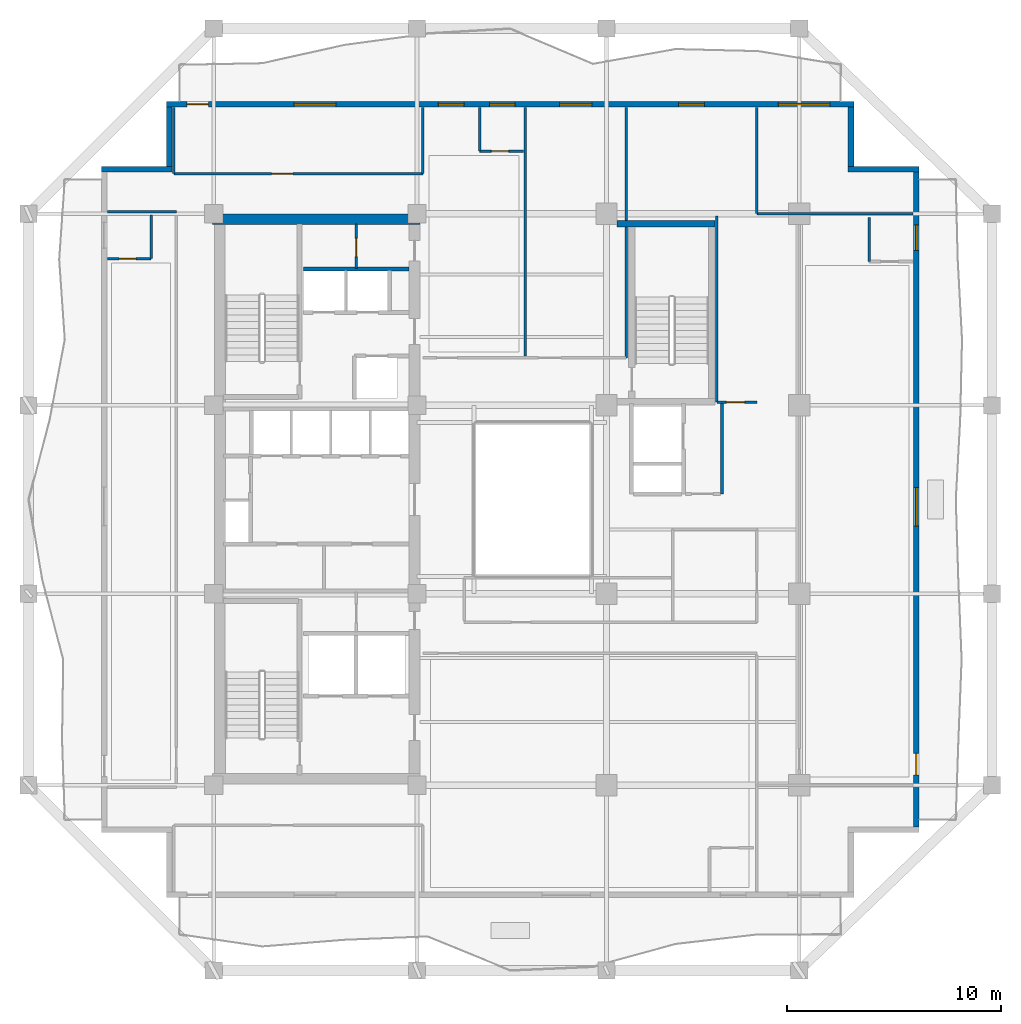
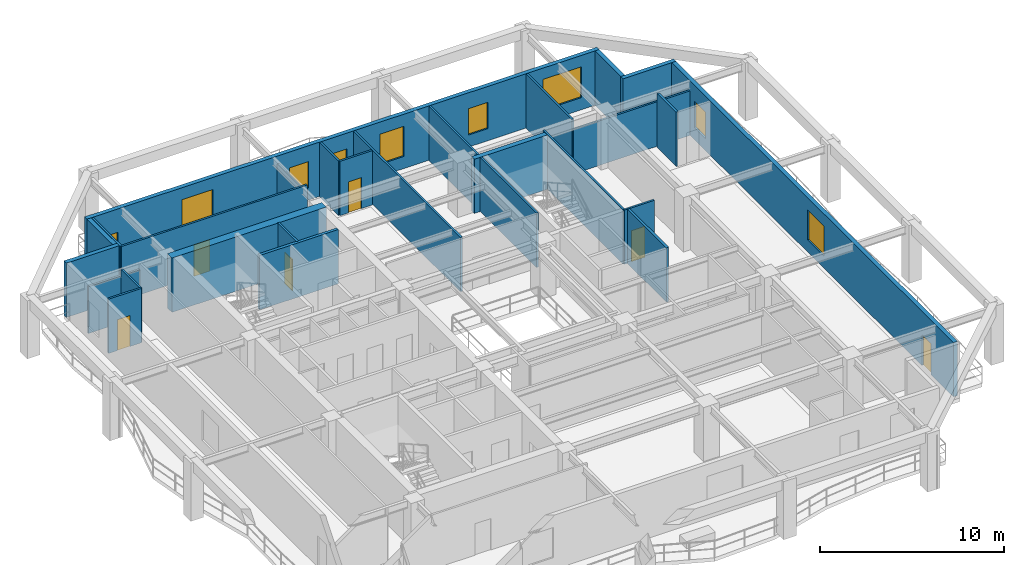
# One storey, part 5 of 10: 26 walls, 8 windows, 7 doors, 15 openings.
"""IFC4 building model written with IfcOpenShell, lengths in metres."""

from ifc_helpers import new_model, si_unit, direction, frame, frame_2d, origin, place, context, subcontext, project, spatial, rectangle, extrude, material, layer, layer_set, type_object, element, fill, save


model = new_model("IFC4")

# Units and contexts
model_context = context("Model", 3, precision=1e-05, world=origin(), true_north=direction((0.0, 1.0)))
body_context = subcontext(model_context, "Body", "Model", "MODEL_VIEW")
ifc_project = project(units=[si_unit("LENGTHUNIT", "METRE"), si_unit("AREAUNIT", "SQUARE_METRE"), si_unit("VOLUMEUNIT", "CUBIC_METRE"), si_unit("PLANEANGLEUNIT", "RADIAN"), si_unit("MASSUNIT", "GRAM", prefix="KILO")], contexts=[model_context])

# Site, building, storey
site_placement = place(None, origin())
site = spatial("IfcSite", under=ifc_project, at=site_placement, CompositionType="ELEMENT")
building_placement = place(site_placement, origin())
building = spatial("IfcBuilding", under=site, at=building_placement, Name="Kundavana Baori Tower", CompositionType="ELEMENT")
storey_placement = place(building_placement, frame((0.0, 0.0, 107.85009765625)))
storey = spatial("IfcBuildingStorey", under=building, at=storey_placement, Name="L25", CompositionType="ELEMENT", Elevation=107.85009765625)

# Wall
ifc_material_1 = material(Name="Concrete C50/60", Category="concrete")
ifc_layer_1 = layer(ifc_material_1, 0.5, Name="WL-CORE-500")
ifc_layer_set_1 = layer_set([ifc_layer_1], Name="Concrete C50/60")
wall_type_1 = type_object("IfcWallType", Name="WL-CORE-500", PredefinedType="SHEAR", material=ifc_layer_set_1)
wall_1_placement = place(storey_placement, frame((15.39990234375, 41.68994140625, 0.0), z_axis=(0.0, 0.0, 1.0), x_axis=(1.0, 0.0, 0.0)))
element("IfcWall", 1, at=wall_1_placement, inside=storey, type_object=wall_type_1, Name="L25 Offset Core North Shear Wall", PredefinedType="SHEAR", context=body_context, shape_type="SweptSolid", body=[
    extrude(rectangle(XDim=9.68017578125, YDim=0.5, at=frame_2d((4.840087890625, 0.0))), origin(), (0.0, 0.0, 1.0), 3.599853515625),
])

# Wall, openings, door, windows
ifc_material_2 = material(Name="Kiln-Fired Terracotta Brick-Slip Masonry on Concrete C40/50", Category="masonry")
ifc_layer_2 = layer(ifc_material_2, 0.260009765625, Name="WL-EXT-BRK-260")
ifc_layer_set_2 = layer_set([ifc_layer_2], Name="Kiln-Fired Terracotta Brick-Slip Masonry on Concrete C40/50")
wall_type_2 = type_object("IfcWallType", Name="WL-EXT-BRK-260", PredefinedType="SOLIDWALL", material=ifc_layer_set_2)
wall_2_placement = place(storey_placement, frame((48.27001953125, 13.31005859375, 0.0), z_axis=(0.0, 0.0, 1.0), x_axis=(0.0, 1.0, 0.0)))
wall_2 = element("IfcWall", 2, at=wall_2_placement, inside=storey, type_object=wall_type_2, Name="L25 Exterior Insulated Facade Wall 04", PredefinedType="SOLIDWALL", context=body_context, shape_type="SweptSolid", body=[
    extrude(rectangle(XDim=30.579833984375, YDim=0.260009765625, at=frame_2d((15.2900390625, 0.0))), origin(), (0.0, 0.0, 1.0), 3.599853515625),
])
opening_1_placement = place(wall_2_placement, frame((2.429931640625, 0.0, 0.0)))
opening_1 = element("IfcOpeningElement", 3, at=opening_1_placement, cuts=wall_2, Name="Opening BD-1", PredefinedType="OPENING", context=body_context, shape_type="SweptSolid", body=[
    extrude(rectangle(XDim=1.0, YDim=2.050048828125, at=frame_2d((0.5, 1.02490234375))), frame((0.0, 0.14013671875, 0.0), z_axis=(0.0, -1.0, 0.0), x_axis=(1.0, 0.0, 0.0)), (0.0, 0.0, 1.0), 0.280029296875),
])
opening_2_placement = place(wall_2_placement, frame((14.050048828125, 0.0, 0.800048828125)))
opening_2 = element("IfcOpeningElement", 4, at=opening_2_placement, cuts=wall_2, Name="Opening W-01", PredefinedType="OPENING", context=body_context, shape_type="SweptSolid", body=[
    extrude(rectangle(XDim=1.800048828125, YDim=2.0, at=frame_2d((0.89990234375, 1.0))), frame((0.0, 0.14013671875, 0.0), z_axis=(0.0, -1.0, 0.0), x_axis=(1.0, 0.0, 0.0)), (0.0, 0.0, 1.0), 0.280029296875),
])
opening_3_placement = place(wall_2_placement, frame((26.925048828125, 0.0, 0.800048828125)))
opening_3 = element("IfcOpeningElement", 5, at=opening_3_placement, cuts=wall_2, Name="Opening W-03", PredefinedType="OPENING", context=body_context, shape_type="SweptSolid", body=[
    extrude(rectangle(XDim=1.199951171875, YDim=1.75, at=frame_2d((0.60009765625, 0.875))), frame((0.0, 0.14013671875, 0.0), z_axis=(0.0, -1.0, 0.0), x_axis=(1.0, 0.0, 0.0)), (0.0, 0.0, 1.0), 0.280029296875),
])
ifc_material_3 = material(Name="Architectural Patinated Bronze Metalwork")
door_type_1 = type_object("IfcDoorType", Name="DR-EXT-LOG-1000", OperationType="NOTDEFINED", PredefinedType="DOOR", material=ifc_material_3)
door_1_placement = place(opening_1_placement, frame((1.0, 0.0, 0.0), z_axis=(0.0, 0.0, 1.0), x_axis=(-1.0, 0.0, 0.0)))
door_1 = element("IfcDoor", 6, at=door_1_placement, inside=storey, type_object=door_type_1, Name="L25 Loggia Balcony Access Door E", OperationType="SINGLE_SWING_RIGHT", OverallHeight=2.050048828125, OverallWidth=1.0, PredefinedType="DOOR", context=body_context, shape_type="SweptSolid", body=[
    extrude(rectangle(XDim=1.0, YDim=2.050048828125, at=frame_2d((0.5, 1.02490234375))), frame((0.0, 0.02490234375, 0.0), z_axis=(0.0, -1.0, 0.0), x_axis=(1.0, 0.0, 0.0)), (0.0, 0.0, 1.0), 0.050048828125),
])
fill(opening_1, door_1)
ifc_material_4 = material(Name="Double-Glazed Solar-Control Low-E Insulated Glass", Category="glass")
window_type_1 = type_object("IfcWindowType", Name="WIN-LOG-1200x1750", PartitioningType="SINGLE_PANEL", PredefinedType="WINDOW", material=ifc_material_4)
window_1_placement = place(opening_3_placement, origin())
window_1 = element("IfcWindow", 7, at=window_1_placement, inside=storey, type_object=window_type_1, Name="L25 Recessed Loggia Window E-2", OverallHeight=1.75, OverallWidth=1.199951171875, PartitioningType="SINGLE_PANEL", PredefinedType="WINDOW", context=body_context, shape_type="SweptSolid", body=[
    extrude(rectangle(XDim=1.199951171875, YDim=1.75, at=frame_2d((0.60009765625, 0.875))), frame((0.0, 0.030029296875, 0.0), z_axis=(0.0, -1.0, 0.0), x_axis=(1.0, 0.0, 0.0)), (0.0, 0.0, 1.0), 0.06005859375),
])
fill(opening_3, window_1)
ifc_material_5 = material(Name="Double-Glazed Solar-Control Low-E Insulated Glass", Category="glass")
window_type_2 = type_object("IfcWindowType", Name="WIN-LOG-1800x2000", PartitioningType="SINGLE_PANEL", PredefinedType="WINDOW", material=ifc_material_5)
window_2_placement = place(opening_2_placement, origin())
window_2 = element("IfcWindow", 8, at=window_2_placement, inside=storey, type_object=window_type_2, Name="L25 Recessed Loggia Window E-1", OverallHeight=2.0, OverallWidth=1.800048828125, PartitioningType="SINGLE_PANEL", PredefinedType="WINDOW", context=body_context, shape_type="SweptSolid", body=[
    extrude(rectangle(XDim=1.800048828125, YDim=2.0, at=frame_2d((0.89990234375, 1.0))), frame((0.0, 0.030029296875, 0.0), z_axis=(0.0, -1.0, 0.0), x_axis=(1.0, 0.0, 0.0)), (0.0, 0.0, 1.0), 0.06005859375),
])
fill(opening_2, window_2)

# Walls
wall_3_placement = place(storey_placement, frame((48.39990234375, 44.02001953125, 0.0), z_axis=(0.0, 0.0, 1.0), x_axis=(-1.0, 0.0, 0.0)))
element("IfcWall", 9, at=wall_3_placement, inside=storey, type_object=wall_type_2, Name="L25 Exterior Insulated Facade Wall 05", PredefinedType="SOLIDWALL", context=body_context, shape_type="SweptSolid", body=[
    extrude(rectangle(XDim=3.309814453125, YDim=0.260009765625, at=frame_2d((1.65478515625, 0.0))), origin(), (0.0, 0.0, 1.0), 3.599853515625),
])
wall_4_placement = place(storey_placement, frame((45.219970703125, 44.14990234375, 0.0), z_axis=(0.0, 0.0, 1.0), x_axis=(0.0, 1.0, 0.0)))
element("IfcWall", 10, at=wall_4_placement, inside=storey, type_object=wall_type_2, Name="L25 Exterior Insulated Facade Wall 06", PredefinedType="SOLIDWALL", context=body_context, shape_type="SweptSolid", body=[
    extrude(rectangle(XDim=2.7900390625, YDim=0.260009765625, at=frame_2d((1.39501953125, 0.0))), origin(), (0.0, 0.0, 1.0), 3.599853515625),
])

# Wall, openings, door, windows
wall_5_placement = place(storey_placement, frame((45.35009765625, 47.070068359375, 0.0), z_axis=(0.0, 0.0, 1.0), x_axis=(-1.0, 0.0, 0.0)))
wall_5 = element("IfcWall", 11, at=wall_5_placement, inside=storey, type_object=wall_type_2, Name="L25 Exterior Insulated Facade Wall 07", PredefinedType="SOLIDWALL", context=body_context, shape_type="SweptSolid", body=[
    extrude(rectangle(XDim=32.10009765625, YDim=0.260009765625, at=frame_2d((16.050048828125, 0.0))), origin(), (0.0, 0.0, 1.0), 3.599853515625),
])
opening_4_placement = place(wall_5_placement, frame((30.14990234375, 0.0, 0.0)))
opening_4 = element("IfcOpeningElement", 12, at=opening_4_placement, cuts=wall_5, Name="Opening BD-1", PredefinedType="OPENING", context=body_context, shape_type="SweptSolid", body=[
    extrude(rectangle(XDim=1.0, YDim=2.050048828125, at=frame_2d((0.5, 1.02490234375))), frame((0.0, 0.14013671875, 0.0), z_axis=(0.0, -1.0, 0.0), x_axis=(1.0, 0.0, 0.0)), (0.0, 0.0, 1.0), 0.280029296875),
])
opening_5_placement = place(wall_5_placement, frame((24.195068359375, 0.0, 0.800048828125)))
opening_5 = element("IfcOpeningElement", 13, at=opening_5_placement, cuts=wall_5, Name="Opening W-09", PredefinedType="OPENING", context=body_context, shape_type="SweptSolid", body=[
    extrude(rectangle(XDim=1.949951171875, YDim=2.0, at=frame_2d((0.97509765625, 1.0))), frame((0.0, 0.14013671875, 0.0), z_axis=(0.0, -1.0, 0.0), x_axis=(1.0, 0.0, 0.0)), (0.0, 0.0, 1.0), 0.280029296875),
])
opening_6_placement = place(wall_5_placement, frame((18.205078125, 0.0, 0.800048828125)))
opening_6 = element("IfcOpeningElement", 14, at=opening_6_placement, cuts=wall_5, Name="Opening W-03", PredefinedType="OPENING", context=body_context, shape_type="SweptSolid", body=[
    extrude(rectangle(XDim=1.199951171875, YDim=1.75, at=frame_2d((0.60009765625, 0.875))), frame((0.0, 0.14013671875, 0.0), z_axis=(0.0, -1.0, 0.0), x_axis=(1.0, 0.0, 0.0)), (0.0, 0.0, 1.0), 0.280029296875),
])
opening_7_placement = place(wall_5_placement, frame((15.81494140625, 0.0, 0.800048828125)))
opening_7 = element("IfcOpeningElement", 15, at=opening_7_placement, cuts=wall_5, Name="Opening W-03", PredefinedType="OPENING", context=body_context, shape_type="SweptSolid", body=[
    extrude(rectangle(XDim=1.199951171875, YDim=1.75, at=frame_2d((0.60009765625, 0.875))), frame((0.0, 0.14013671875, 0.0), z_axis=(0.0, -1.0, 0.0), x_axis=(1.0, 0.0, 0.0)), (0.0, 0.0, 1.0), 0.280029296875),
])
opening_8_placement = place(wall_5_placement, frame((12.239990234375, 0.0, 0.800048828125)))
opening_8 = element("IfcOpeningElement", 16, at=opening_8_placement, cuts=wall_5, Name="Opening W-02", PredefinedType="OPENING", context=body_context, shape_type="SweptSolid", body=[
    extrude(rectangle(XDim=1.5, YDim=2.0, at=frame_2d((0.75, 1.0))), frame((0.0, 0.14013671875, 0.0), z_axis=(0.0, -1.0, 0.0), x_axis=(1.0, 0.0, 0.0)), (0.0, 0.0, 1.0), 0.280029296875),
])
opening_9_placement = place(wall_5_placement, frame((6.97998046875, 0.0, 0.800048828125)))
opening_9 = element("IfcOpeningElement", 17, at=opening_9_placement, cuts=wall_5, Name="Opening W-03", PredefinedType="OPENING", context=body_context, shape_type="SweptSolid", body=[
    extrude(rectangle(XDim=1.199951171875, YDim=1.75, at=frame_2d((0.60009765625, 0.875))), frame((0.0, 0.14013671875, 0.0), z_axis=(0.0, -1.0, 0.0), x_axis=(1.0, 0.0, 0.0)), (0.0, 0.0, 1.0), 0.280029296875),
])
opening_10_placement = place(wall_5_placement, frame((1.1201171875, 0.0, 0.800048828125)))
opening_10 = element("IfcOpeningElement", 18, at=opening_10_placement, cuts=wall_5, Name="Opening W-04", PredefinedType="OPENING", context=body_context, shape_type="SweptSolid", body=[
    extrude(rectangle(XDim=2.39990234375, YDim=2.050048828125, at=frame_2d((1.199951171875, 1.02490234375))), frame((0.0, 0.14013671875, 0.0), z_axis=(0.0, -1.0, 0.0), x_axis=(1.0, 0.0, 0.0)), (0.0, 0.0, 1.0), 0.280029296875),
])
door_2_placement = place(opening_4_placement, frame((1.0, 0.0, 0.0), z_axis=(0.0, 0.0, 1.0), x_axis=(-1.0, 0.0, 0.0)))
door_2 = element("IfcDoor", 19, at=door_2_placement, inside=storey, type_object=door_type_1, Name="L25 Loggia Balcony Access Door N", OperationType="SINGLE_SWING_LEFT", OverallHeight=2.050048828125, OverallWidth=1.0, PredefinedType="DOOR", context=body_context, shape_type="SweptSolid", body=[
    extrude(rectangle(XDim=1.0, YDim=2.050048828125, at=frame_2d((0.5, 1.02490234375))), frame((0.0, 0.02490234375, 0.0), z_axis=(0.0, -1.0, 0.0), x_axis=(1.0, 0.0, 0.0)), (0.0, 0.0, 1.0), 0.050048828125),
])
fill(opening_4, door_2)
window_3_placement = place(opening_6_placement, origin())
window_3 = element("IfcWindow", 20, at=window_3_placement, inside=storey, type_object=window_type_1, Name="L25 Recessed Loggia Window N-2", OverallHeight=1.75, OverallWidth=1.199951171875, PartitioningType="SINGLE_PANEL", PredefinedType="WINDOW", context=body_context, shape_type="SweptSolid", body=[
    extrude(rectangle(XDim=1.199951171875, YDim=1.75, at=frame_2d((0.60009765625, 0.875))), frame((0.0, 0.030029296875, 0.0), z_axis=(0.0, -1.0, 0.0), x_axis=(1.0, 0.0, 0.0)), (0.0, 0.0, 1.0), 0.06005859375),
])
fill(opening_6, window_3)
window_4_placement = place(opening_7_placement, origin())
window_4 = element("IfcWindow", 21, at=window_4_placement, inside=storey, type_object=window_type_1, Name="L25 Recessed Loggia Window N-3", OverallHeight=1.75, OverallWidth=1.199951171875, PartitioningType="SINGLE_PANEL", PredefinedType="WINDOW", context=body_context, shape_type="SweptSolid", body=[
    extrude(rectangle(XDim=1.199951171875, YDim=1.75, at=frame_2d((0.60009765625, 0.875))), frame((0.0, 0.030029296875, 0.0), z_axis=(0.0, -1.0, 0.0), x_axis=(1.0, 0.0, 0.0)), (0.0, 0.0, 1.0), 0.06005859375),
])
fill(opening_7, window_4)
window_5_placement = place(opening_9_placement, origin())
window_5 = element("IfcWindow", 22, at=window_5_placement, inside=storey, type_object=window_type_1, Name="L25 Recessed Loggia Window N-5", OverallHeight=1.75, OverallWidth=1.199951171875, PartitioningType="SINGLE_PANEL", PredefinedType="WINDOW", context=body_context, shape_type="SweptSolid", body=[
    extrude(rectangle(XDim=1.199951171875, YDim=1.75, at=frame_2d((0.60009765625, 0.875))), frame((0.0, 0.030029296875, 0.0), z_axis=(0.0, -1.0, 0.0), x_axis=(1.0, 0.0, 0.0)), (0.0, 0.0, 1.0), 0.06005859375),
])
fill(opening_9, window_5)
ifc_material_6 = material(Name="Double-Glazed Solar-Control Low-E Insulated Glass", Category="glass")
window_type_3 = type_object("IfcWindowType", Name="WIN-LOG-1500x2000", PartitioningType="SINGLE_PANEL", PredefinedType="WINDOW", material=ifc_material_6)
window_6_placement = place(opening_8_placement, origin())
window_6 = element("IfcWindow", 23, at=window_6_placement, inside=storey, type_object=window_type_3, Name="L25 Recessed Loggia Window N-4", OverallHeight=2.0, OverallWidth=1.5, PartitioningType="SINGLE_PANEL", PredefinedType="WINDOW", context=body_context, shape_type="SweptSolid", body=[
    extrude(rectangle(XDim=1.5, YDim=2.0, at=frame_2d((0.75, 1.0))), frame((0.0, 0.030029296875, 0.0), z_axis=(0.0, -1.0, 0.0), x_axis=(1.0, 0.0, 0.0)), (0.0, 0.0, 1.0), 0.06005859375),
])
fill(opening_8, window_6)
ifc_material_7 = material(Name="Double-Glazed Solar-Control Low-E Insulated Glass", Category="glass")
window_type_4 = type_object("IfcWindowType", Name="WIN-LOG-1950x2000", PartitioningType="SINGLE_PANEL", PredefinedType="WINDOW", material=ifc_material_7)
window_7_placement = place(opening_5_placement, origin())
window_7 = element("IfcWindow", 24, at=window_7_placement, inside=storey, type_object=window_type_4, Name="L25 Recessed Loggia Window N-1", OverallHeight=2.0, OverallWidth=1.949951171875, PartitioningType="SINGLE_PANEL", PredefinedType="WINDOW", context=body_context, shape_type="SweptSolid", body=[
    extrude(rectangle(XDim=1.949951171875, YDim=2.0, at=frame_2d((0.97509765625, 1.0))), frame((0.0, 0.030029296875, 0.0), z_axis=(0.0, -1.0, 0.0), x_axis=(1.0, 0.0, 0.0)), (0.0, 0.0, 1.0), 0.06005859375),
])
fill(opening_5, window_7)
ifc_material_8 = material(Name="Double-Glazed Solar-Control Low-E Insulated Glass", Category="glass")
window_type_5 = type_object("IfcWindowType", Name="WIN-LOG-2400x2050", PartitioningType="SINGLE_PANEL", PredefinedType="WINDOW", material=ifc_material_8)
window_8_placement = place(opening_10_placement, origin())
window_8 = element("IfcWindow", 25, at=window_8_placement, inside=storey, type_object=window_type_5, Name="L25 Recessed Loggia Window N-6", OverallHeight=2.050048828125, OverallWidth=2.39990234375, PartitioningType="SINGLE_PANEL", PredefinedType="WINDOW", context=body_context, shape_type="SweptSolid", body=[
    extrude(rectangle(XDim=2.39990234375, YDim=2.050048828125, at=frame_2d((1.199951171875, 1.02490234375))), frame((0.0, 0.030029296875, 0.0), z_axis=(0.0, -1.0, 0.0), x_axis=(1.0, 0.0, 0.0)), (0.0, 0.0, 1.0), 0.06005859375),
])
fill(opening_10, window_8)

# Walls
wall_6_placement = place(storey_placement, frame((13.3798828125, 46.93994140625, 0.0), z_axis=(0.0, 0.0, 1.0), x_axis=(0.0, -1.0, 0.0)))
element("IfcWall", 26, at=wall_6_placement, inside=storey, type_object=wall_type_2, Name="L25 Exterior Insulated Facade Wall 08", PredefinedType="SOLIDWALL", context=body_context, shape_type="SweptSolid", body=[
    extrude(rectangle(XDim=2.7900390625, YDim=0.260009765625, at=frame_2d((1.39501953125, 0.0))), origin(), (0.0, 0.0, 1.0), 3.599853515625),
])
wall_7_placement = place(storey_placement, frame((13.510009765625, 44.02001953125, 0.0), z_axis=(0.0, 0.0, 1.0), x_axis=(-1.0, 0.0, 0.0)))
element("IfcWall", 27, at=wall_7_placement, inside=storey, type_object=wall_type_2, Name="L25 Exterior Insulated Facade Wall 09", PredefinedType="SOLIDWALL", context=body_context, shape_type="SweptSolid", body=[
    extrude(rectangle(XDim=3.31005859375, YDim=0.260009765625, at=frame_2d((1.655029296875, 0.0))), origin(), (0.0, 0.0, 1.0), 3.599853515625),
])

# Wall, opening, door
ifc_material_9 = material(Name="Acoustic Gypsum Plasterboard on Galvanised Steel Studs", Category="steel")
ifc_layer_3 = layer(ifc_material_9, 0.1201171875, Name="WL-PART-120")
ifc_layer_set_3 = layer_set([ifc_layer_3], Name="Acoustic Gypsum Plasterboard on Galvanised Steel Studs")
wall_type_3 = type_object("IfcWallType", Name="WL-PART-120", PredefinedType="PARTITIONING", material=ifc_layer_set_3)
wall_8_placement = place(storey_placement, frame((22.10009765625, 39.39990234375, 0.0), z_axis=(0.0, 0.0, 1.0), x_axis=(0.0, 1.0, 0.0)))
wall_8 = element("IfcWall", 28, at=wall_8_placement, inside=storey, type_object=wall_type_3, Name="WL-L25-CSRV-D1", PredefinedType="PARTITIONING", context=body_context, shape_type="SweptSolid", body=[
    extrude(rectangle(XDim=2.080078125, YDim=0.1201171875, at=frame_2d((1.0400390625, 0.0))), origin(), (0.0, 0.0, 1.0), 3.599853515625),
])
opening_11_placement = place(wall_8_placement, frame((0.550048828125, 0.0, 0.0)))
opening_11 = element("IfcOpeningElement", 29, at=opening_11_placement, cuts=wall_8, Name="Opening FD-085", PredefinedType="OPENING", context=body_context, shape_type="SweptSolid", body=[
    extrude(rectangle(XDim=0.85009765625, YDim=2.06005859375, at=frame_2d((0.425048828125, 1.030029296875))), frame((0.0, 0.070068359375, 0.0), z_axis=(0.0, -1.0, 0.0), x_axis=(1.0, 0.0, 0.0)), (0.0, 0.0, 1.0), 0.14013671875),
])
ifc_material_10 = material(Name="Galvanised Steel Fire-Rated Door Leaf", Category="steel")
door_type_2 = type_object("IfcDoorType", Name="DR-FD60-850", OperationType="NOTDEFINED", PredefinedType="DOOR", material=ifc_material_10)
door_3_placement = place(opening_11_placement, origin())
door_3 = element("IfcDoor", 30, at=door_3_placement, inside=storey, type_object=door_type_2, Name="DR-L25-CSRV1", OperationType="SINGLE_SWING_LEFT", OverallHeight=2.06005859375, OverallWidth=0.85009765625, PredefinedType="DOOR", context=body_context, shape_type="SweptSolid", body=[
    extrude(rectangle(XDim=0.85009765625, YDim=2.06005859375, at=frame_2d((0.425048828125, 1.030029296875))), frame((0.0, 0.02490234375, 0.0), z_axis=(0.0, -1.0, 0.0), x_axis=(1.0, 0.0, 0.0)), (0.0, 0.0, 1.0), 0.050048828125),
])
fill(opening_11, door_3)

# Walls
wall_9_placement = place(storey_placement, frame((40.820068359375, 41.949951171875, 0.0), z_axis=(0.0, 0.0, 1.0), x_axis=(1.0, 0.0, 0.0)))
element("IfcWall", 31, at=wall_9_placement, inside=storey, type_object=wall_type_3, Name="WL-L25-HEN", PredefinedType="PARTITIONING", context=body_context, shape_type="SweptSolid", body=[
    extrude(rectangle(XDim=7.300048828125, YDim=0.1201171875, at=frame_2d((3.64990234375, 0.0))), origin(), (0.0, 0.0, 1.0), 2.949951171875),
])
wall_10_placement = place(storey_placement, frame((10.47998046875, 42.0400390625, 0.0), z_axis=(0.0, 0.0, 1.0), x_axis=(1.0, 0.0, 0.0)))
element("IfcWall", 32, at=wall_10_placement, inside=storey, type_object=wall_type_3, Name="WL-L25-HWN", PredefinedType="PARTITIONING", context=body_context, shape_type="SweptSolid", body=[
    extrude(rectangle(XDim=3.219970703125, YDim=0.1201171875, at=frame_2d((1.60986328125, 0.0))), origin(), (0.0, 0.0, 1.0), 3.099853515625),
])

# Wall, opening, door
wall_11_placement = place(storey_placement, frame((13.590087890625, 43.820068359375, 0.0), z_axis=(0.0, 0.0, 1.0), x_axis=(1.0, 0.0, 0.0)))
wall_11 = element("IfcWall", 33, at=wall_11_placement, inside=storey, type_object=wall_type_3, Name="WL-L25-HNC", PredefinedType="PARTITIONING", context=body_context, shape_type="SweptSolid", body=[
    extrude(rectangle(XDim=11.6298828125, YDim=0.1201171875, at=frame_2d((5.81494140625, 0.0))), origin(), (0.0, 0.0, 1.0), 3.599853515625),
])
opening_12_placement = place(wall_11_placement, frame((4.56005859375, 0.0, 0.0)))
opening_12 = element("IfcOpeningElement", 34, at=opening_12_placement, cuts=wall_11, Name="Opening ID-100", PredefinedType="OPENING", context=body_context, shape_type="SweptSolid", body=[
    extrude(rectangle(XDim=1.0, YDim=2.080078125, at=frame_2d((0.5, 1.0400390625))), frame((0.0, 0.070068359375, 0.0), z_axis=(0.0, -1.0, 0.0), x_axis=(1.0, 0.0, 0.0)), (0.0, 0.0, 1.0), 0.14013671875),
])
ifc_material_11 = material(Name="Engineered Teak Solid-Core Timber Veneer", Category="wood")
door_type_3 = type_object("IfcDoorType", Name="DR-INT-1000", OperationType="NOTDEFINED", PredefinedType="DOOR", material=ifc_material_11)
door_4_placement = place(opening_12_placement, origin())
door_4 = element("IfcDoor", 35, at=door_4_placement, inside=storey, type_object=door_type_3, Name="DR-L25-HMNW", OperationType="SINGLE_SWING_RIGHT", OverallHeight=2.080078125, OverallWidth=1.0, PredefinedType="DOOR", context=body_context, shape_type="SweptSolid", body=[
    extrude(rectangle(XDim=1.0, YDim=2.080078125, at=frame_2d((0.5, 1.0400390625))), frame((0.0, 0.02490234375, 0.0), z_axis=(0.0, -1.0, 0.0), x_axis=(1.0, 0.0, 0.0)), (0.0, 0.0, 1.0), 0.050048828125),
])
fill(opening_12, door_4)

# Walls
wall_12_placement = place(storey_placement, frame((13.590087890625, 43.820068359375, 0.0), z_axis=(0.0, 0.0, 1.0), x_axis=(0.0, 1.0, 0.0)))
element("IfcWall", 36, at=wall_12_placement, inside=storey, type_object=wall_type_3, Name="WL-L25-HNCW", PredefinedType="PARTITIONING", context=body_context, shape_type="SweptSolid", body=[
    extrude(rectangle(XDim=3.099853515625, YDim=0.1201171875, at=frame_2d((1.5498046875, 0.0))), origin(), (0.0, 0.0, 1.0), 3.599853515625),
])
wall_13_placement = place(storey_placement, frame((25.219970703125, 43.820068359375, 0.0), z_axis=(0.0, 0.0, 1.0), x_axis=(0.0, 1.0, 0.0)))
element("IfcWall", 37, at=wall_13_placement, inside=storey, type_object=wall_type_3, Name="WL-L25-HNCE", PredefinedType="PARTITIONING", context=body_context, shape_type="SweptSolid", body=[
    extrude(rectangle(XDim=3.099853515625, YDim=0.1201171875, at=frame_2d((1.5498046875, 0.0))), origin(), (0.0, 0.0, 1.0), 3.099853515625),
])
wall_14_placement = place(storey_placement, frame((34.719970703125, 35.219970703125, 0.0), z_axis=(0.0, 0.0, 1.0), x_axis=(0.0, 1.0, 0.0)))
element("IfcWall", 38, at=wall_14_placement, inside=storey, type_object=wall_type_3, Name="WL-L25-HNEND", PredefinedType="PARTITIONING", context=body_context, shape_type="SweptSolid", body=[
    extrude(rectangle(XDim=11.699951171875, YDim=0.1201171875, at=frame_2d((5.85009765625, 0.0))), origin(), (0.0, 0.0, 1.0), 3.599853515625),
])
wall_15_placement = place(storey_placement, frame((30.0, 35.300048828125, 0.0), z_axis=(0.0, 0.0, 1.0), x_axis=(0.0, 1.0, 0.0)))
element("IfcWall", 39, at=wall_15_placement, inside=storey, type_object=wall_type_3, Name="WL-L25-HND1", PredefinedType="PARTITIONING", context=body_context, shape_type="SweptSolid", body=[
    extrude(rectangle(XDim=11.619873046875, YDim=0.1201171875, at=frame_2d((5.81005859375, 0.0))), origin(), (0.0, 0.0, 1.0), 3.599853515625),
])

# Wall, opening, door
wall_16_placement = place(storey_placement, frame((38.949951171875, 33.14990234375, 0.0), z_axis=(0.0, 0.0, 1.0), x_axis=(1.0, 0.0, 0.0)))
wall_16 = element("IfcWall", 40, at=wall_16_placement, inside=storey, type_object=wall_type_3, Name="WL-L25-HNES", PredefinedType="PARTITIONING", context=body_context, shape_type="SweptSolid", body=[
    extrude(rectangle(XDim=1.8701171875, YDim=0.1201171875, at=frame_2d((0.93505859375, 0.0))), origin(), (0.0, 0.0, 1.0), 3.599853515625),
])
opening_13_placement = place(wall_16_placement, frame((0.449951171875, 0.0, 0.0)))
opening_13 = element("IfcOpeningElement", 41, at=opening_13_placement, cuts=wall_16, Name="Opening WD-085", PredefinedType="OPENING", context=body_context, shape_type="SweptSolid", body=[
    extrude(rectangle(XDim=0.85009765625, YDim=2.050048828125, at=frame_2d((0.425048828125, 1.02490234375))), frame((0.0, 0.070068359375, 0.0), z_axis=(0.0, -1.0, 0.0), x_axis=(1.0, 0.0, 0.0)), (0.0, 0.0, 1.0), 0.14013671875),
])
ifc_material_12 = material(Name="Engineered Teak Solid-Core Timber Veneer", Category="wood")
door_type_4 = type_object("IfcDoorType", Name="DR-WET-850", OperationType="NOTDEFINED", PredefinedType="DOOR", material=ifc_material_12)
door_5_placement = place(opening_13_placement, origin())
door_5 = element("IfcDoor", 42, at=door_5_placement, inside=storey, type_object=door_type_4, Name="DR-L25-HLNE", OperationType="SINGLE_SWING_LEFT", OverallHeight=2.050048828125, OverallWidth=0.85009765625, PredefinedType="DOOR", context=body_context, shape_type="SweptSolid", body=[
    extrude(rectangle(XDim=0.85009765625, YDim=2.050048828125, at=frame_2d((0.425048828125, 1.02490234375))), frame((0.0, 0.02490234375, 0.0), z_axis=(0.0, -1.0, 0.0), x_axis=(1.0, 0.0, 0.0)), (0.0, 0.0, 1.0), 0.050048828125),
])
fill(opening_13, door_5)

# Walls
wall_17_placement = place(storey_placement, frame((38.949951171875, 33.14990234375, 0.0), z_axis=(0.0, 0.0, 1.0), x_axis=(0.0, 1.0, 0.0)))
element("IfcWall", 43, at=wall_17_placement, inside=storey, type_object=wall_type_3, Name="WL-L25-HNEW", PredefinedType="PARTITIONING", context=body_context, shape_type="SweptSolid", body=[
    extrude(rectangle(XDim=8.7001953125, YDim=0.1201171875, at=frame_2d((4.35009765625, 0.0))), origin(), (0.0, 0.0, 1.0), 3.599853515625),
])
wall_18_placement = place(storey_placement, frame((40.820068359375, 41.949951171875, 0.0), z_axis=(0.0, 0.0, 1.0), x_axis=(0.0, 1.0, 0.0)))
element("IfcWall", 44, at=wall_18_placement, inside=storey, type_object=wall_type_3, Name="WL-L25-HNEE", PredefinedType="PARTITIONING", context=body_context, shape_type="SweptSolid", body=[
    extrude(rectangle(XDim=4.969970703125, YDim=0.1201171875, at=frame_2d((2.48486328125, 0.0))), origin(), (0.0, 0.0, 1.0), 3.599853515625),
])
ifc_material_13 = material(Name="Fire-Rated Gypsum Drywall on Galvanised Steel Studs", Category="steel")
ifc_layer_4 = layer(ifc_material_13, 0.14990234375, Name="WL-PART-150")
ifc_layer_set_4 = layer_set([ifc_layer_4], Name="Fire-Rated Gypsum Drywall on Galvanised Steel Studs")
wall_type_4 = type_object("IfcWallType", Name="WL-PART-150", PredefinedType="PARTITIONING", material=ifc_layer_set_4)
wall_19_placement = place(storey_placement, frame((39.199951171875, 28.860107421875, 0.0), z_axis=(0.0, 0.0, 1.0), x_axis=(0.0, 1.0, 0.0)))
element("IfcWall", 45, at=wall_19_placement, inside=storey, type_object=wall_type_4, Name="WL-L25-SVLOB-E", PredefinedType="PARTITIONING", context=body_context, shape_type="SweptSolid", body=[
    extrude(rectangle(XDim=4.219970703125, YDim=0.14990234375, at=frame_2d((2.10986328125, 0.0))), origin(), (0.0, 0.0, 1.0), 3.599853515625),
])
ifc_material_14 = material(Name="Autoclaved Aerated Concrete Blockwork Masonry", Category="masonry")
ifc_layer_5 = layer(ifc_material_14, 0.179931640625, Name="WL-SHAFT-180")
ifc_layer_set_5 = layer_set([ifc_layer_5], Name="Autoclaved Aerated Concrete Blockwork Masonry")
wall_type_5 = type_object("IfcWallType", Name="WL-SHAFT-180", PredefinedType="SOLIDWALL", material=ifc_layer_set_5)
wall_20_placement = place(storey_placement, frame((19.639892578125, 39.360107421875, 0.0), z_axis=(0.0, 0.0, 1.0), x_axis=(1.0, 0.0, 0.0)))
element("IfcWall", 46, at=wall_20_placement, inside=storey, type_object=wall_type_5, Name="WL-L25-HRLOB-TOP", PredefinedType="SOLIDWALL", context=body_context, shape_type="SweptSolid", body=[
    extrude(rectangle(XDim=4.940185546875, YDim=0.179931640625, at=frame_2d((2.47021484375, 0.0))), origin(), (0.0, 0.0, 1.0), 3.599853515625),
])
ifc_material_15 = material(Name="Concrete C50/60", Category="concrete")
ifc_layer_6 = layer(ifc_material_15, 0.300048828125, Name="WL-ST3-300")
ifc_layer_set_6 = layer_set([ifc_layer_6], Name="Concrete C50/60")
wall_type_6 = type_object("IfcWallType", Name="WL-ST3-300", PredefinedType="SHEAR", material=ifc_layer_set_6)
wall_21_placement = place(storey_placement, frame((34.300048828125, 41.489990234375, 0.0), z_axis=(0.0, 0.0, 1.0), x_axis=(1.0, 0.0, 0.0)))
element("IfcWall", 47, at=wall_21_placement, inside=storey, type_object=wall_type_6, Name="L25 Stair ST3 North Shear Wall", PredefinedType="SHEAR", context=body_context, shape_type="SweptSolid", body=[
    extrude(rectangle(XDim=4.570068359375, YDim=0.300048828125, at=frame_2d((2.28515625, 0.0))), origin(), (0.0, 0.0, 1.0), 3.599853515625),
])
ifc_material_16 = material(Name="Autoclaved Aerated Concrete Blockwork Masonry", Category="masonry")
ifc_layer_7 = layer(ifc_material_16, 0.125, Name="WL-WET-120")
ifc_layer_set_7 = layer_set([ifc_layer_7], Name="Autoclaved Aerated Concrete Blockwork Masonry")
wall_type_7 = type_object("IfcWallType", Name="WL-WET-120", PredefinedType="PLUMBINGWALL", material=ifc_layer_set_7)
wall_22_placement = place(storey_placement, frame((12.530029296875, 39.85009765625, 0.0), z_axis=(0.0, 0.0, 1.0), x_axis=(0.0, 1.0, 0.0)))
element("IfcWall", 48, at=wall_22_placement, inside=storey, type_object=wall_type_7, Name="WL-L25-HK-W1-BE", PredefinedType="PLUMBINGWALL", context=body_context, shape_type="SweptSolid", body=[
    extrude(rectangle(XDim=2.0498046875, YDim=0.125, at=frame_2d((1.02490234375, 0.0))), origin(), (0.0, 0.0, 1.0), 3.599853515625),
])

# Wall, opening, door
wall_23_placement = place(storey_placement, frame((10.47998046875, 39.85009765625, 0.0), z_axis=(0.0, 0.0, 1.0), x_axis=(1.0, 0.0, 0.0)))
wall_23 = element("IfcWall", 49, at=wall_23_placement, inside=storey, type_object=wall_type_7, Name="WL-L25-HK-W1-BS", PredefinedType="PLUMBINGWALL", context=body_context, shape_type="SweptSolid", body=[
    extrude(rectangle(XDim=2.050048828125, YDim=0.125, at=frame_2d((1.02490234375, 0.0))), origin(), (0.0, 0.0, 1.0), 3.599853515625),
])
opening_14_placement = place(wall_23_placement, frame((0.550048828125, 0.0, 0.0)))
opening_14 = element("IfcOpeningElement", 50, at=opening_14_placement, cuts=wall_23, Name="Opening WD-080", PredefinedType="OPENING", context=body_context, shape_type="SweptSolid", body=[
    extrude(rectangle(XDim=0.800048828125, YDim=2.050048828125, at=frame_2d((0.39990234375, 1.02490234375))), frame((0.0, 0.072509765625, 0.0), z_axis=(0.0, -1.0, 0.0), x_axis=(1.0, 0.0, 0.0)), (0.0, 0.0, 1.0), 0.14501953125),
])
ifc_material_17 = material(Name="Engineered Teak Solid-Core Timber Veneer", Category="wood")
door_type_5 = type_object("IfcDoorType", Name="DR-WET-800", OperationType="NOTDEFINED", PredefinedType="DOOR", material=ifc_material_17)
door_6_placement = place(opening_14_placement, frame((0.800048828125, 0.0, 0.0), z_axis=(0.0, 0.0, 1.0), x_axis=(-1.0, 0.0, 0.0)))
door_6 = element("IfcDoor", 51, at=door_6_placement, inside=storey, type_object=door_type_5, Name="DR-L25-HK-W1-ENS", OperationType="SINGLE_SWING_LEFT", OverallHeight=2.050048828125, OverallWidth=0.800048828125, PredefinedType="DOOR", context=body_context, shape_type="SweptSolid", body=[
    extrude(rectangle(XDim=0.800048828125, YDim=2.050048828125, at=frame_2d((0.39990234375, 1.02490234375))), frame((0.0, 0.02490234375, 0.0), z_axis=(0.0, -1.0, 0.0), x_axis=(1.0, 0.0, 0.0)), (0.0, 0.0, 1.0), 0.050048828125),
])
fill(opening_14, door_6)

# Walls
wall_24_placement = place(storey_placement, frame((46.070068359375, 39.719970703125, 0.0), z_axis=(0.0, 0.0, 1.0), x_axis=(0.0, 1.0, 0.0)))
element("IfcWall", 52, at=wall_24_placement, inside=storey, type_object=wall_type_7, Name="WL-L25-HK-E1-BW", PredefinedType="PLUMBINGWALL", context=body_context, shape_type="SweptSolid", body=[
    extrude(rectangle(XDim=2.050048828125, YDim=0.125, at=frame_2d((1.02490234375, 0.0))), origin(), (0.0, 0.0, 1.0), 3.599853515625),
])
wall_25_placement = place(storey_placement, frame((27.8701171875, 44.8701171875, 0.0), z_axis=(0.0, 0.0, 1.0), x_axis=(0.0, 1.0, 0.0)))
element("IfcWall", 53, at=wall_25_placement, inside=storey, type_object=wall_type_7, Name="WL-L25-HK-N1-BW", PredefinedType="PLUMBINGWALL", context=body_context, shape_type="SweptSolid", body=[
    extrude(rectangle(XDim=2.0498046875, YDim=0.125, at=frame_2d((1.02490234375, 0.0))), origin(), (0.0, 0.0, 1.0), 3.599853515625),
])

# Wall, opening, door
wall_26_placement = place(storey_placement, frame((27.8701171875, 44.8701171875, 0.0), z_axis=(0.0, 0.0, 1.0), x_axis=(1.0, 0.0, 0.0)))
wall_26 = element("IfcWall", 54, at=wall_26_placement, inside=storey, type_object=wall_type_7, Name="WL-L25-HK-N1-BS", PredefinedType="PLUMBINGWALL", context=body_context, shape_type="SweptSolid", body=[
    extrude(rectangle(XDim=2.0498046875, YDim=0.125, at=frame_2d((1.02490234375, 0.0))), origin(), (0.0, 0.0, 1.0), 3.599853515625),
])
opening_15_placement = place(wall_26_placement, frame((0.550048828125, 0.0, 0.0)))
opening_15 = element("IfcOpeningElement", 55, at=opening_15_placement, cuts=wall_26, Name="Opening WD-080", PredefinedType="OPENING", context=body_context, shape_type="SweptSolid", body=[
    extrude(rectangle(XDim=0.800048828125, YDim=2.050048828125, at=frame_2d((0.39990234375, 1.02490234375))), frame((0.0, 0.072509765625, 0.0), z_axis=(0.0, -1.0, 0.0), x_axis=(1.0, 0.0, 0.0)), (0.0, 0.0, 1.0), 0.14501953125),
])
door_7_placement = place(opening_15_placement, frame((0.800048828125, 0.0, 0.0), z_axis=(0.0, 0.0, 1.0), x_axis=(-1.0, 0.0, 0.0)))
door_7 = element("IfcDoor", 56, at=door_7_placement, inside=storey, type_object=door_type_5, Name="DR-L25-HK-N1-ENS", OperationType="SINGLE_SWING_LEFT", OverallHeight=2.050048828125, OverallWidth=0.800048828125, PredefinedType="DOOR", context=body_context, shape_type="SweptSolid", body=[
    extrude(rectangle(XDim=0.800048828125, YDim=2.050048828125, at=frame_2d((0.39990234375, 1.02490234375))), frame((0.0, 0.02490234375, 0.0), z_axis=(0.0, -1.0, 0.0), x_axis=(1.0, 0.0, 0.0)), (0.0, 0.0, 1.0), 0.050048828125),
])
fill(opening_15, door_7)

save(model, "model.ifc")
